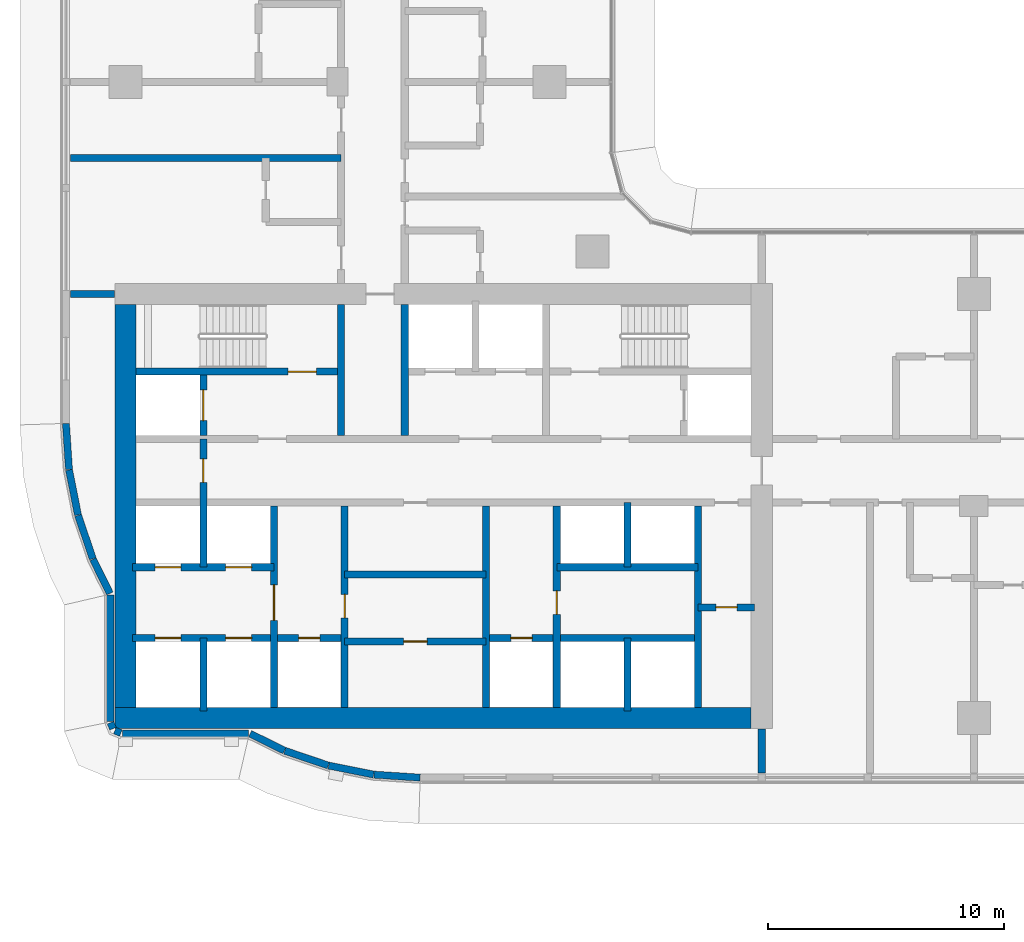
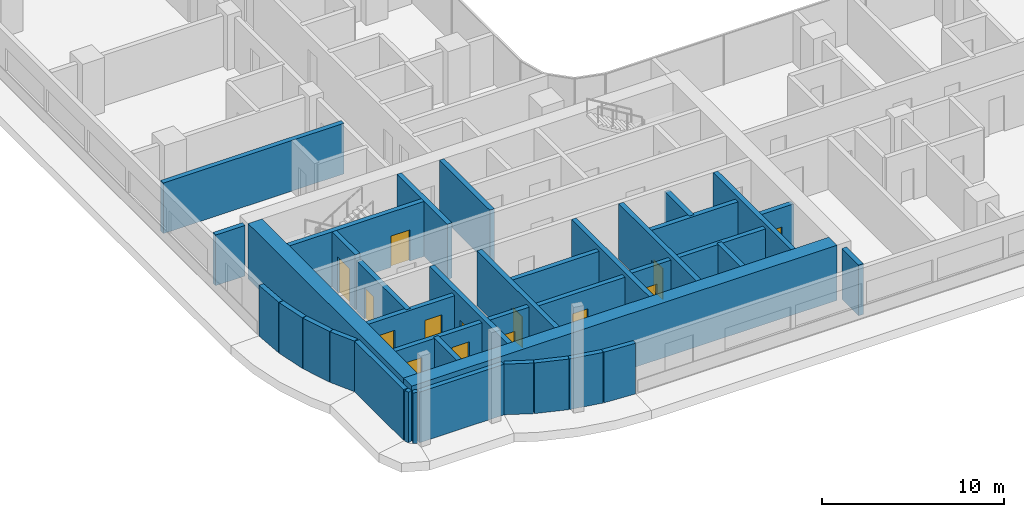
# One storey, part 17 of 36: 37 walls, 14 doors, 14 openings.
"""IFC4 building model written with IfcOpenShell, lengths in metres."""

from ifc_helpers import new_model, si_unit, direction, frame, frame_2d, origin, place, context, subcontext, project, spatial, rectangle, extrude, material, layer, layer_set, type_object, element, fill, save


model = new_model("IFC4")

# Units and contexts
model_context = context("Model", 3, precision=1e-05, world=origin(), true_north=direction((0.0, 1.0)))
body_context = subcontext(model_context, "Body", "Model", "MODEL_VIEW")
ifc_project = project(units=[si_unit("LENGTHUNIT", "METRE"), si_unit("AREAUNIT", "SQUARE_METRE"), si_unit("VOLUMEUNIT", "CUBIC_METRE"), si_unit("PLANEANGLEUNIT", "RADIAN"), si_unit("MASSUNIT", "GRAM", prefix="KILO")], contexts=[model_context])

# Site, building, storey
site_placement = place(None, origin())
site = spatial("IfcSite", under=ifc_project, at=site_placement, CompositionType="ELEMENT")
building_placement = place(site_placement, origin())
building = spatial("IfcBuilding", under=site, at=building_placement, Name="Ogive Portal Towers", CompositionType="ELEMENT")
storey_placement = place(building_placement, frame((0.0, 0.0, 63.10009765625)))
storey = spatial("IfcBuildingStorey", under=building, at=storey_placement, Name="L14", CompositionType="ELEMENT", Elevation=63.10009765625)

# Wall, opening, door
ifc_material_1 = material(Name="Concrete C60/75", Category="concrete")
ifc_layer_1 = layer(ifc_material_1, 0.300048828125)
ifc_layer_set_1 = layer_set([ifc_layer_1], Name="CORE WALL 300 C60")
wall_type_1 = type_object("IfcWallType", Name="CORE WALL 300 C60", PredefinedType="SHEAR", material=ifc_layer_set_1)
wall_1_placement = place(storey_placement, frame((37.800048828125, 21.949951171875, 0.0), z_axis=(0.0, 0.0, 1.0), x_axis=(0.0, 1.0, 0.0)))
wall_1 = element("IfcWall", 1, at=wall_1_placement, inside=storey, type_object=wall_type_1, Name="Core wall X1 L14", PredefinedType="SHEAR", context=body_context, shape_type="SweptSolid", body=[
    extrude(rectangle(XDim=8.550048828125, YDim=0.300048828125, at=frame_2d((4.27490234375, 0.0))), origin(), (0.0, 0.0, 1.0), 3.699951171875),
])
opening_1_placement = place(wall_1_placement, frame((3.699951171875, 0.0, 0.0)))
opening_1 = element("IfcOpeningElement", 2, at=opening_1_placement, cuts=wall_1, Name="Opening D04-001", PredefinedType="OPENING", context=body_context, shape_type="SweptSolid", body=[
    extrude(rectangle(XDim=1.5, YDim=2.10009765625, at=frame_2d((0.75, 1.050048828125))), frame((0.0, 0.16015625, 0.0), z_axis=(0.0, -1.0, 0.0), x_axis=(1.0, 0.0, 0.0)), (0.0, 0.0, 1.0), 0.320068359375),
])
ifc_material_2 = material(Name="Steel fire door", Category="steel")
door_type_1 = type_object("IfcDoorType", Name="DT-SWING-1500x2100-FD90S", OperationType="SINGLE_SWING_LEFT", PredefinedType="DOOR", material=ifc_material_2)
door_1_placement = place(opening_1_placement, origin())
door_1 = element("IfcDoor", 3, at=door_1_placement, inside=storey, type_object=door_type_1, Name="Door D04-001", OperationType="SINGLE_SWING_LEFT", OverallHeight=2.10009765625, OverallWidth=1.5, PredefinedType="DOOR", context=body_context, shape_type="SweptSolid", body=[
    extrude(rectangle(XDim=1.5, YDim=2.10009765625, at=frame_2d((0.75, 1.050048828125))), frame((0.0, 0.02490234375, 0.0), z_axis=(0.0, -1.0, 0.0), x_axis=(1.0, 0.0, 0.0)), (0.0, 0.0, 1.0), 0.050048828125),
])
fill(opening_1, door_1)

wall_2_placement = place(storey_placement, frame((40.800048828125, 21.949951171875, 0.0), z_axis=(0.0, 0.0, 1.0), x_axis=(0.0, 1.0, 0.0)))
wall_2 = element("IfcWall", 4, at=wall_2_placement, inside=storey, type_object=wall_type_1, Name="Core wall X2 L14", PredefinedType="SHEAR", context=body_context, shape_type="SweptSolid", body=[
    extrude(rectangle(XDim=8.550048828125, YDim=0.300048828125, at=frame_2d((4.27490234375, 0.0))), origin(), (0.0, 0.0, 1.0), 3.699951171875),
])
opening_2_placement = place(wall_2_placement, frame((3.800048828125, 0.0, 0.0)))
opening_2 = element("IfcOpeningElement", 5, at=opening_2_placement, cuts=wall_2, Name="Opening D04-022", PredefinedType="OPENING", context=body_context, shape_type="SweptSolid", body=[
    extrude(rectangle(XDim=1.0, YDim=2.10009765625, at=frame_2d((0.5, 1.050048828125))), frame((0.0, 0.16015625, 0.0), z_axis=(0.0, -1.0, 0.0), x_axis=(1.0, 0.0, 0.0)), (0.0, 0.0, 1.0), 0.320068359375),
])
door_type_2 = type_object("IfcDoorType", Name="DT-SWING-1000x2100-FD90S", OperationType="SINGLE_SWING_LEFT", PredefinedType="DOOR", material=ifc_material_2)
door_2_placement = place(opening_2_placement, origin())
door_2 = element("IfcDoor", 6, at=door_2_placement, inside=storey, type_object=door_type_2, Name="Door D04-022", OperationType="SINGLE_SWING_RIGHT", OverallHeight=2.10009765625, OverallWidth=1.0, PredefinedType="DOOR", context=body_context, shape_type="SweptSolid", body=[
    extrude(rectangle(XDim=1.0, YDim=2.10009765625, at=frame_2d((0.5, 1.050048828125))), frame((0.0, 0.02490234375, 0.0), z_axis=(0.0, -1.0, 0.0), x_axis=(1.0, 0.0, 0.0)), (0.0, 0.0, 1.0), 0.050048828125),
])
fill(opening_2, door_2)

# Wall
wall_3_placement = place(storey_placement, frame((46.800048828125, 21.949951171875, 0.0), z_axis=(0.0, 0.0, 1.0), x_axis=(0.0, 1.0, 0.0)))
element("IfcWall", 7, at=wall_3_placement, inside=storey, type_object=wall_type_1, Name="Core wall X3 L14", PredefinedType="SHEAR", context=body_context, shape_type="SweptSolid", body=[
    extrude(rectangle(XDim=8.550048828125, YDim=0.300048828125, at=frame_2d((4.27490234375, 0.0))), origin(), (0.0, 0.0, 1.0), 3.699951171875),
])

# Wall, opening, door
wall_4_placement = place(storey_placement, frame((49.800048828125, 21.949951171875, 0.0), z_axis=(0.0, 0.0, 1.0), x_axis=(0.0, 1.0, 0.0)))
wall_4 = element("IfcWall", 8, at=wall_4_placement, inside=storey, type_object=wall_type_1, Name="Core wall X4 L14", PredefinedType="SHEAR", context=body_context, shape_type="SweptSolid", body=[
    extrude(rectangle(XDim=8.550048828125, YDim=0.300048828125, at=frame_2d((4.27490234375, 0.0))), origin(), (0.0, 0.0, 1.0), 3.699951171875),
])
opening_3_placement = place(wall_4_placement, frame((3.949951171875, 0.0, 0.0)))
opening_3 = element("IfcOpeningElement", 9, at=opening_3_placement, cuts=wall_4, Name="Opening D04-024", PredefinedType="OPENING", context=body_context, shape_type="SweptSolid", body=[
    extrude(rectangle(XDim=1.0, YDim=2.10009765625, at=frame_2d((0.5, 1.050048828125))), frame((0.0, 0.16015625, 0.0), z_axis=(0.0, -1.0, 0.0), x_axis=(1.0, 0.0, 0.0)), (0.0, 0.0, 1.0), 0.320068359375),
])
door_3_placement = place(opening_3_placement, origin())
door_3 = element("IfcDoor", 10, at=door_3_placement, inside=storey, type_object=door_type_2, Name="Door D04-024", OperationType="SINGLE_SWING_RIGHT", OverallHeight=2.10009765625, OverallWidth=1.0, PredefinedType="DOOR", context=body_context, shape_type="SweptSolid", body=[
    extrude(rectangle(XDim=1.0, YDim=2.10009765625, at=frame_2d((0.5, 1.050048828125))), frame((0.0, 0.02490234375, 0.0), z_axis=(0.0, -1.0, 0.0), x_axis=(1.0, 0.0, 0.0)), (0.0, 0.0, 1.0), 0.050048828125),
])
fill(opening_3, door_3)

# Wall
wall_5_placement = place(storey_placement, frame((55.800048828125, 21.949951171875, 0.0), z_axis=(0.0, 0.0, 1.0), x_axis=(0.0, 1.0, 0.0)))
element("IfcWall", 11, at=wall_5_placement, inside=storey, type_object=wall_type_1, Name="Core wall X5 L14", PredefinedType="SHEAR", context=body_context, shape_type="SweptSolid", body=[
    extrude(rectangle(XDim=8.550048828125, YDim=0.300048828125, at=frame_2d((4.27490234375, 0.0))), origin(), (0.0, 0.0, 1.0), 3.699951171875),
])

# Wall, opening, door
wall_6_placement = place(storey_placement, frame((31.949951171875, 36.199951171875, 0.0), z_axis=(0.0, 0.0, 1.0), x_axis=(1.0, 0.0, 0.0)))
wall_6 = element("IfcWall", 12, at=wall_6_placement, inside=storey, type_object=wall_type_1, Name="Core wall Y3a L14", PredefinedType="SHEAR", context=body_context, shape_type="SweptSolid", body=[
    extrude(rectangle(XDim=8.550048828125, YDim=0.300048828125, at=frame_2d((4.27490234375, 0.0))), origin(), (0.0, 0.0, 1.0), 3.699951171875),
])
opening_4_placement = place(wall_6_placement, frame((6.449951171875, 0.0, 0.0)))
opening_4 = element("IfcOpeningElement", 13, at=opening_4_placement, cuts=wall_6, Name="Opening D04-005", PredefinedType="OPENING", context=body_context, shape_type="SweptSolid", body=[
    extrude(rectangle(XDim=1.199951171875, YDim=2.10009765625, at=frame_2d((0.60009765625, 1.050048828125))), frame((0.0, 0.16015625, 0.0), z_axis=(0.0, -1.0, 0.0), x_axis=(1.0, 0.0, 0.0)), (0.0, 0.0, 1.0), 0.320068359375),
])
door_type_3 = type_object("IfcDoorType", Name="DT-SWING-1200x2100-FD90S", OperationType="SINGLE_SWING_LEFT", PredefinedType="DOOR", material=ifc_material_2)
door_4_placement = place(opening_4_placement, origin())
door_4 = element("IfcDoor", 14, at=door_4_placement, inside=storey, type_object=door_type_3, Name="Door D04-005", OperationType="SINGLE_SWING_RIGHT", OverallHeight=2.10009765625, OverallWidth=1.199951171875, PredefinedType="DOOR", context=body_context, shape_type="SweptSolid", body=[
    extrude(rectangle(XDim=1.199951171875, YDim=2.10009765625, at=frame_2d((0.60009765625, 1.050048828125))), frame((0.0, 0.02490234375, 0.0), z_axis=(0.0, -1.0, 0.0), x_axis=(1.0, 0.0, 0.0)), (0.0, 0.0, 1.0), 0.050048828125),
])
fill(opening_4, door_4)

# Walls
for number, where, z_axis, x_axis, name in (
    (15, (40.64990234375, 33.5, 0.0), (0.0, 0.0, 1.0), (0.0, 1.0, 0.0), "Core wall X6 L14"),
    (16, (43.35009765625, 33.5, 0.0), (0.0, 0.0, 1.0), (0.0, 1.0, 0.0), "Core wall X7 L14"),
):
    element("IfcWall", number, at=place(storey_placement, frame(where, z_axis=z_axis, x_axis=x_axis)), inside=storey, type_object=wall_type_1, Name=name, PredefinedType="SHEAR", context=body_context, shape_type="SweptSolid", body=[
        extrude(rectangle(XDim=5.550048828125, YDim=0.300048828125, at=frame_2d((2.77490234375, 0.0))), origin(), (0.0, 0.0, 1.0), 3.699951171875),
    ])

# Wall, opening, door
wall_7_placement = place(storey_placement, frame((34.800048828125, 33.5, 0.0), z_axis=(0.0, 0.0, 1.0), x_axis=(0.0, 1.0, 0.0)))
wall_7 = element("IfcWall", 17, at=wall_7_placement, inside=storey, type_object=wall_type_1, Name="Core wall X8 L14", PredefinedType="SHEAR", context=body_context, shape_type="SweptSolid", body=[
    extrude(rectangle(XDim=2.550048828125, YDim=0.300048828125, at=frame_2d((1.27490234375, 0.0))), origin(), (0.0, 0.0, 1.0), 3.699951171875),
])
opening_5_placement = place(wall_7_placement, frame((0.625, 0.0, 0.0)))
opening_5 = element("IfcOpeningElement", 18, at=opening_5_placement, cuts=wall_7, Name="Opening D04-019", PredefinedType="OPENING", context=body_context, shape_type="SweptSolid", body=[
    extrude(rectangle(XDim=1.300048828125, YDim=2.39990234375, at=frame_2d((0.64990234375, 1.199951171875))), frame((0.0, 0.16015625, 0.0), z_axis=(0.0, -1.0, 0.0), x_axis=(1.0, 0.0, 0.0)), (0.0, 0.0, 1.0), 0.320068359375),
])
ifc_material_3 = material(Name="Stainless steel", Category="steel")
door_type_4 = type_object("IfcDoorType", Name="DT-LD-1300x2400", OperationType="SLIDING_TO_LEFT", PredefinedType="DOOR", material=ifc_material_3)
door_5_placement = place(opening_5_placement, origin())
door_5 = element("IfcDoor", 19, at=door_5_placement, inside=storey, type_object=door_type_4, Name="Door D04-019", OperationType="SLIDING_TO_LEFT", OverallHeight=2.39990234375, OverallWidth=1.300048828125, PredefinedType="DOOR", context=body_context, shape_type="SweptSolid", body=[
    extrude(rectangle(XDim=1.300048828125, YDim=2.39990234375, at=frame_2d((0.64990234375, 1.199951171875))), frame((0.0, 0.02490234375, 0.0), z_axis=(0.0, -1.0, 0.0), x_axis=(1.0, 0.0, 0.0)), (0.0, 0.0, 1.0), 0.050048828125),
])
fill(opening_5, door_5)

# Walls
ifc_layer_2 = layer(ifc_material_1, 0.89990234375)
ifc_layer_set_2 = layer_set([ifc_layer_2], Name="CORE WALL 900 C60")
wall_type_2 = type_object("IfcWallType", Name="CORE WALL 900 C60", PredefinedType="SHEAR", material=ifc_layer_set_2)
wall_8_placement = place(storey_placement, frame((31.5, 21.949951171875, 0.0), z_axis=(0.0, 0.0, 1.0), x_axis=(0.0, 1.0, 0.0)))
element("IfcWall", 20, at=wall_8_placement, inside=storey, type_object=wall_type_2, Name="Core wall W L14", PredefinedType="SHEAR", context=body_context, shape_type="SweptSolid", body=[
    extrude(rectangle(XDim=17.10009765625, YDim=0.89990234375, at=frame_2d((8.550048828125, 0.0))), origin(), (0.0, 0.0, 1.0), 3.699951171875),
])
wall_9_placement = place(storey_placement, frame((31.050048828125, 21.5, 0.0), z_axis=(0.0, 0.0, 1.0), x_axis=(1.0, 0.0, 0.0)))
element("IfcWall", 21, at=wall_9_placement, inside=storey, type_object=wall_type_2, Name="Core wall S L14", PredefinedType="SHEAR", context=body_context, shape_type="SweptSolid", body=[
    extrude(rectangle(XDim=27.0, YDim=0.89990234375, at=frame_2d((13.5, 0.0))), origin(), (0.0, 0.0, 1.0), 3.699951171875),
])
ifc_material_4 = material(Name="Limestone cladding on lightweight block wall", Category="masonry")
ifc_layer_3 = layer(ifc_material_4, 0.300048828125)
ifc_layer_set_3 = layer_set([ifc_layer_3], Name="EXTERNAL WALL 300 STONE")
wall_type_3 = type_object("IfcWallType", Name="EXTERNAL WALL 300 STONE", PredefinedType="SOLIDWALL", material=ifc_layer_set_3)
wall_10_placement = place(storey_placement, frame((30.85009765625, 26.7216796875, 0.0), z_axis=(0.0, 0.0, 1.0), x_axis=(0.0, -1.0, 0.0)))
element("IfcWall", 22, at=wall_10_placement, inside=storey, type_object=wall_type_3, Name="A:L14:f00:r0:wall", PredefinedType="SOLIDWALL", context=body_context, shape_type="SweptSolid", body=[
    extrude(rectangle(XDim=5.362060546875, YDim=0.300048828125, at=frame_2d((2.68115234375, 0.0))), origin(), (0.0, 0.0, 1.0), 3.39990234375),
])
for number, where, z_axis, x_axis, name in (
    (23, (30.861328125, 21.30224609375, 0.0), (0.0, 0.0, 1.0), (0.38297812142, -0.923757413239, 0.0), "A:L14:f01:r0:wall"),
    (24, (31.0478515625, 20.966796875, 0.0), (0.0, 0.0, 1.0), (0.923757413239, -0.38297812142, 0.0), "A:L14:f02:r0:wall"),
):
    element("IfcWall", number, at=place(storey_placement, frame(where, z_axis=z_axis, x_axis=x_axis)), inside=storey, type_object=wall_type_3, Name=name, PredefinedType="SOLIDWALL", context=body_context, shape_type="SweptSolid", body=[
        extrude(rectangle(XDim=0.275390625, YDim=0.300048828125, at=frame_2d((0.1376953125, 0.0))), origin(), (0.0, 0.0, 1.0), 3.39990234375),
    ])
wall_11_placement = place(storey_placement, frame((31.359619140625, 20.85009765625, 0.0), z_axis=(0.0, 0.0, 1.0), x_axis=(1.0, 0.0, 0.0)))
element("IfcWall", 25, at=wall_11_placement, inside=storey, type_object=wall_type_3, Name="A:L14:f03:r0:wall", PredefinedType="SOLIDWALL", context=body_context, shape_type="SweptSolid", body=[
    extrude(rectangle(XDim=5.362060546875, YDim=0.300048828125, at=frame_2d((2.68115234375, 0.0))), origin(), (0.0, 0.0, 1.0), 3.39990234375),
])
wall_12_placement = place(storey_placement, frame((36.7880859375, 20.83447265625, 0.0), z_axis=(0.0, 0.0, 1.0), x_axis=(0.896857753975, -0.442319080682, 0.0)))
element("IfcWall", 26, at=wall_12_placement, inside=storey, type_object=wall_type_3, Name="A:L14:f04:r0:wall", PredefinedType="SOLIDWALL", context=body_context, shape_type="SweptSolid", body=[
    extrude(rectangle(XDim=1.618408203125, YDim=0.300048828125, at=frame_2d((0.80908203125, 0.0))), origin(), (0.0, 0.0, 1.0), 3.39990234375),
])
for number, where, z_axis, x_axis, name in (
    (27, (38.2578125, 20.111328125, 0.0), (0.0, 0.0, 1.0), (0.946912572858, -0.32149118085, 0.0), "A:L14:f05:r0:wall"),
    (28, (40.11962890625, 19.48046875, 0.0), (0.0, 0.0, 1.0), (0.980792379364, -0.195054629737, 0.0), "A:L14:f06:r0:wall"),
):
    element("IfcWall", number, at=place(storey_placement, frame(where, z_axis=z_axis, x_axis=x_axis)), inside=storey, type_object=wall_type_3, Name=name, PredefinedType="SOLIDWALL", context=body_context, shape_type="SweptSolid", body=[
        extrude(rectangle(XDim=1.9462890625, YDim=0.300048828125, at=frame_2d((0.97314453125, 0.0))), origin(), (0.0, 0.0, 1.0), 3.39990234375),
    ])
for number, where, z_axis, x_axis, name in (
    (29, (42.048095703125, 19.09814453125, 0.0), (0.0, 0.0, 1.0), (0.997859086025, -0.065400645538, 0.0), "A:L14:f07:r0:wall"),
    (30, (28.97021484375, 34.0, 0.0), (0.0, 0.0, 1.0), (0.065400645538, -0.997859086025, 0.0), "A:L14:f28:r0:wall"),
):
    element("IfcWall", number, at=place(storey_placement, frame(where, z_axis=z_axis, x_axis=x_axis)), inside=storey, type_object=wall_type_3, Name=name, PredefinedType="SOLIDWALL", context=body_context, shape_type="SweptSolid", body=[
        extrude(rectangle(XDim=1.9560546875, YDim=0.300048828125, at=frame_2d((0.97802734375, 0.0))), origin(), (0.0, 0.0, 1.0), 3.39990234375),
    ])
for number, where, z_axis, x_axis, name in (
    (31, (29.100830078125, 32.028564453125, 0.0), (0.0, 0.0, 1.0), (0.195054629737, -0.980792379364, 0.0), "A:L14:f29:r0:wall"),
    (32, (29.485595703125, 30.100830078125, 0.0), (0.0, 0.0, 1.0), (0.32149118085, -0.946912572858, 0.0), "A:L14:f30:r0:wall"),
):
    element("IfcWall", number, at=place(storey_placement, frame(where, z_axis=z_axis, x_axis=x_axis)), inside=storey, type_object=wall_type_3, Name=name, PredefinedType="SOLIDWALL", context=body_context, shape_type="SweptSolid", body=[
        extrude(rectangle(XDim=1.9462890625, YDim=0.300048828125, at=frame_2d((0.97314453125, 0.0))), origin(), (0.0, 0.0, 1.0), 3.39990234375),
    ])
wall_13_placement = place(storey_placement, frame((30.11865234375, 28.239501953125, 0.0), z_axis=(0.0, 0.0, 1.0), x_axis=(0.442319080682, -0.896857753975, 0.0)))
element("IfcWall", 33, at=wall_13_placement, inside=storey, type_object=wall_type_3, Name="A:L14:f31:r0:wall", PredefinedType="SOLIDWALL", context=body_context, shape_type="SweptSolid", body=[
    extrude(rectangle(XDim=1.618408203125, YDim=0.300048828125, at=frame_2d((0.80908203125, 0.0))), origin(), (0.0, 0.0, 1.0), 3.39990234375),
])

# Wall, opening, door
ifc_material_5 = material(Name="Gypsum board partition on steel studs", Category="steel")
ifc_layer_4 = layer(ifc_material_5, 0.300048828125)
ifc_layer_set_4 = layer_set([ifc_layer_4], Name="WT-PART-300")
wall_type_4 = type_object("IfcWallType", Name="WT-PART-300", PredefinedType="PARTITIONING", material=ifc_layer_set_4)
wall_14_placement = place(storey_placement, frame((40.800048828125, 24.75, 0.0), z_axis=(0.0, 0.0, 1.0), x_axis=(1.0, 0.0, 0.0)))
wall_14 = element("IfcWall", 34, at=wall_14_placement, inside=storey, type_object=wall_type_4, Name="Wall pw:001:L14", PredefinedType="PARTITIONING", context=body_context, shape_type="SweptSolid", body=[
    extrude(rectangle(XDim=6.0, YDim=0.300048828125, at=frame_2d((3.0, 0.0))), origin(), (0.0, 0.0, 1.0), 3.39990234375),
])
opening_6_placement = place(wall_14_placement, frame((2.5, 0.0, 0.0)))
opening_6 = element("IfcOpeningElement", 35, at=opening_6_placement, cuts=wall_14, Name="Opening D04-023", PredefinedType="OPENING", context=body_context, shape_type="SweptSolid", body=[
    extrude(rectangle(XDim=1.0, YDim=2.10009765625, at=frame_2d((0.5, 1.050048828125))), frame((0.0, 0.16015625, 0.0), z_axis=(0.0, -1.0, 0.0), x_axis=(1.0, 0.0, 0.0)), (0.0, 0.0, 1.0), 0.320068359375),
])
door_type_5 = type_object("IfcDoorType", Name="DT-SWING-1000x2100-FD60S", OperationType="SINGLE_SWING_LEFT", PredefinedType="DOOR", material=ifc_material_2)
door_6_placement = place(opening_6_placement, origin())
door_6 = element("IfcDoor", 36, at=door_6_placement, inside=storey, type_object=door_type_5, Name="Door D04-023", OperationType="SINGLE_SWING_RIGHT", OverallHeight=2.10009765625, OverallWidth=1.0, PredefinedType="DOOR", context=body_context, shape_type="SweptSolid", body=[
    extrude(rectangle(XDim=1.0, YDim=2.10009765625, at=frame_2d((0.5, 1.050048828125))), frame((0.0, 0.02490234375, 0.0), z_axis=(0.0, -1.0, 0.0), x_axis=(1.0, 0.0, 0.0)), (0.0, 0.0, 1.0), 0.050048828125),
])
fill(opening_6, door_6)

wall_15_placement = place(storey_placement, frame((55.800048828125, 26.199951171875, 0.0), z_axis=(0.0, 0.0, 1.0), x_axis=(1.0, 0.0, 0.0)))
wall_15 = element("IfcWall", 37, at=wall_15_placement, inside=storey, type_object=wall_type_4, Name="Wall pw:004:L14", PredefinedType="PARTITIONING", context=body_context, shape_type="SweptSolid", body=[
    extrude(rectangle(XDim=2.39990234375, YDim=0.300048828125, at=frame_2d((1.199951171875, 0.0))), origin(), (0.0, 0.0, 1.0), 3.39990234375),
])
opening_7_placement = place(wall_15_placement, frame((0.75, 0.0, 0.0)))
opening_7 = element("IfcOpeningElement", 38, at=opening_7_placement, cuts=wall_15, Name="Opening D04-010", PredefinedType="OPENING", context=body_context, shape_type="SweptSolid", body=[
    extrude(rectangle(XDim=0.89990234375, YDim=2.10009765625, at=frame_2d((0.449951171875, 1.050048828125))), frame((0.0, 0.16015625, 0.0), z_axis=(0.0, -1.0, 0.0), x_axis=(1.0, 0.0, 0.0)), (0.0, 0.0, 1.0), 0.320068359375),
])
door_type_6 = type_object("IfcDoorType", Name="DT-SWING-900x2100-FD60S", OperationType="SINGLE_SWING_LEFT", PredefinedType="DOOR", material=ifc_material_2)
door_7_placement = place(opening_7_placement, origin())
door_7 = element("IfcDoor", 39, at=door_7_placement, inside=storey, type_object=door_type_6, Name="Door D04-010", OperationType="SINGLE_SWING_RIGHT", OverallHeight=2.10009765625, OverallWidth=0.89990234375, PredefinedType="DOOR", context=body_context, shape_type="SweptSolid", body=[
    extrude(rectangle(XDim=0.89990234375, YDim=2.10009765625, at=frame_2d((0.449951171875, 1.050048828125))), frame((0.0, 0.02490234375, 0.0), z_axis=(0.0, -1.0, 0.0), x_axis=(1.0, 0.0, 0.0)), (0.0, 0.0, 1.0), 0.050048828125),
])
fill(opening_7, door_7)

# Walls
wall_16_placement = place(storey_placement, frame((40.800048828125, 27.60009765625, 0.0), z_axis=(0.0, 0.0, 1.0), x_axis=(1.0, 0.0, 0.0)))
element("IfcWall", 40, at=wall_16_placement, inside=storey, type_object=wall_type_4, Name="Wall pw:005:L14", PredefinedType="PARTITIONING", context=body_context, shape_type="SweptSolid", body=[
    extrude(rectangle(XDim=6.0, YDim=0.300048828125, at=frame_2d((3.0, 0.0))), origin(), (0.0, 0.0, 1.0), 3.39990234375),
])
ifc_layer_5 = layer(ifc_material_5, 0.300048828125)
ifc_layer_set_5 = layer_set([ifc_layer_5], Name="WT-PART-300-EI 60")
wall_type_5 = type_object("IfcWallType", Name="WT-PART-300-EI 60", PredefinedType="PARTITIONING", material=ifc_layer_set_5)
wall_17_placement = place(storey_placement, frame((29.169921875, 39.5, 0.0), z_axis=(0.0, 0.0, 1.0), x_axis=(1.0, 0.0, 0.0)))
element("IfcWall", 41, at=wall_17_placement, inside=storey, type_object=wall_type_5, Name="Wall L14:w012", PredefinedType="PARTITIONING", context=body_context, shape_type="SweptSolid", body=[
    extrude(rectangle(XDim=1.860107421875, YDim=0.300048828125, at=frame_2d((0.93017578125, 0.0))), origin(), (0.0, 0.0, 1.0), 3.39990234375),
])
wall_18_placement = place(storey_placement, frame((29.169921875, 45.260009765625, 0.0), z_axis=(0.0, 0.0, 1.0), x_axis=(1.0, 0.0, 0.0)))
element("IfcWall", 42, at=wall_18_placement, inside=storey, type_object=wall_type_5, Name="Wall L14:w017", PredefinedType="PARTITIONING", context=body_context, shape_type="SweptSolid", body=[
    extrude(rectangle(XDim=11.47998046875, YDim=0.300048828125, at=frame_2d((5.739990234375, 0.0))), origin(), (0.0, 0.0, 1.0), 3.39990234375),
])
wall_19_placement = place(storey_placement, frame((58.5, 19.169921875, 0.0), z_axis=(0.0, 0.0, 1.0), x_axis=(0.0, 1.0, 0.0)))
element("IfcWall", 43, at=wall_19_placement, inside=storey, type_object=wall_type_5, Name="Wall L14:w046", PredefinedType="PARTITIONING", context=body_context, shape_type="SweptSolid", body=[
    extrude(rectangle(XDim=1.860107421875, YDim=0.300048828125, at=frame_2d((0.93017578125, 0.0))), origin(), (0.0, 0.0, 1.0), 3.39990234375),
])

# Wall, openings, doors
ifc_material_6 = material(Name="Concrete C40/50", Category="concrete")
ifc_layer_6 = layer(ifc_material_6, 0.300048828125)
ifc_layer_set_6 = layer_set([ifc_layer_6], Name="WT-SHAFT-300")
wall_type_6 = type_object("IfcWallType", Name="WT-SHAFT-300", PredefinedType="SOLIDWALL", material=ifc_layer_set_6)
wall_20_placement = place(storey_placement, frame((31.800048828125, 24.89990234375, 0.0), z_axis=(0.0, 0.0, 1.0), x_axis=(1.0, 0.0, 0.0)))
wall_20 = element("IfcWall", 44, at=wall_20_placement, inside=storey, type_object=wall_type_6, Name="Wall pw:002:L14", PredefinedType="SOLIDWALL", context=body_context, shape_type="SweptSolid", body=[
    extrude(rectangle(XDim=9.0, YDim=0.300048828125, at=frame_2d((4.5, 0.0))), origin(), (0.0, 0.0, 1.0), 3.39990234375),
])
opening_8_placement = place(wall_20_placement, frame((7.050048828125, 0.0, 0.0)))
opening_8 = element("IfcOpeningElement", 45, at=opening_8_placement, cuts=wall_20, Name="Opening D04-007", PredefinedType="OPENING", context=body_context, shape_type="SweptSolid", body=[
    extrude(rectangle(XDim=0.89990234375, YDim=2.10009765625, at=frame_2d((0.449951171875, 1.050048828125))), frame((0.0, 0.16015625, 0.0), z_axis=(0.0, -1.0, 0.0), x_axis=(1.0, 0.0, 0.0)), (0.0, 0.0, 1.0), 0.320068359375),
])
opening_9_placement = place(wall_20_placement, frame((0.949951171875, 0.0, 0.0)))
opening_9 = element("IfcOpeningElement", 46, at=opening_9_placement, cuts=wall_20, Name="Opening D04-013", PredefinedType="OPENING", context=body_context, shape_type="SweptSolid", body=[
    extrude(rectangle(XDim=1.10009765625, YDim=2.39990234375, at=frame_2d((0.550048828125, 1.199951171875))), frame((0.0, 0.16015625, 0.0), z_axis=(0.0, -1.0, 0.0), x_axis=(1.0, 0.0, 0.0)), (0.0, 0.0, 1.0), 0.320068359375),
])
opening_10_placement = place(wall_20_placement, frame((3.949951171875, 0.0, 0.0)))
opening_10 = element("IfcOpeningElement", 47, at=opening_10_placement, cuts=wall_20, Name="Opening D04-014", PredefinedType="OPENING", context=body_context, shape_type="SweptSolid", body=[
    extrude(rectangle(XDim=1.10009765625, YDim=2.39990234375, at=frame_2d((0.550048828125, 1.199951171875))), frame((0.0, 0.16015625, 0.0), z_axis=(0.0, -1.0, 0.0), x_axis=(1.0, 0.0, 0.0)), (0.0, 0.0, 1.0), 0.320068359375),
])
door_type_7 = type_object("IfcDoorType", Name="DT-LD-1100x2400", OperationType="SLIDING_TO_LEFT", PredefinedType="DOOR", material=ifc_material_3)
door_8_placement = place(opening_9_placement, origin())
door_8 = element("IfcDoor", 48, at=door_8_placement, inside=storey, type_object=door_type_7, Name="Door D04-013", OperationType="SLIDING_TO_LEFT", OverallHeight=2.39990234375, OverallWidth=1.10009765625, PredefinedType="DOOR", context=body_context, shape_type="SweptSolid", body=[
    extrude(rectangle(XDim=1.10009765625, YDim=2.39990234375, at=frame_2d((0.550048828125, 1.199951171875))), frame((0.0, 0.02490234375, 0.0), z_axis=(0.0, -1.0, 0.0), x_axis=(1.0, 0.0, 0.0)), (0.0, 0.0, 1.0), 0.050048828125),
])
fill(opening_9, door_8)
door_9_placement = place(opening_10_placement, origin())
door_9 = element("IfcDoor", 49, at=door_9_placement, inside=storey, type_object=door_type_7, Name="Door D04-014", OperationType="SLIDING_TO_LEFT", OverallHeight=2.39990234375, OverallWidth=1.10009765625, PredefinedType="DOOR", context=body_context, shape_type="SweptSolid", body=[
    extrude(rectangle(XDim=1.10009765625, YDim=2.39990234375, at=frame_2d((0.550048828125, 1.199951171875))), frame((0.0, 0.02490234375, 0.0), z_axis=(0.0, -1.0, 0.0), x_axis=(1.0, 0.0, 0.0)), (0.0, 0.0, 1.0), 0.050048828125),
])
fill(opening_10, door_9)
door_type_8 = type_object("IfcDoorType", Name="DT-SWING-900x2100-FD90S", OperationType="SINGLE_SWING_LEFT", PredefinedType="DOOR", material=ifc_material_2)
door_10_placement = place(opening_8_placement, origin())
door_10 = element("IfcDoor", 50, at=door_10_placement, inside=storey, type_object=door_type_8, Name="Riser access door D04-007", OperationType="SINGLE_SWING_LEFT", OverallHeight=2.10009765625, OverallWidth=0.89990234375, PredefinedType="DOOR", context=body_context, shape_type="SweptSolid", body=[
    extrude(rectangle(XDim=0.89990234375, YDim=2.10009765625, at=frame_2d((0.449951171875, 1.050048828125))), frame((0.0, 0.02490234375, 0.0), z_axis=(0.0, -1.0, 0.0), x_axis=(1.0, 0.0, 0.0)), (0.0, 0.0, 1.0), 0.050048828125),
])
fill(opening_8, door_10)

# Wall, opening, door
wall_21_placement = place(storey_placement, frame((46.800048828125, 24.89990234375, 0.0), z_axis=(0.0, 0.0, 1.0), x_axis=(1.0, 0.0, 0.0)))
wall_21 = element("IfcWall", 51, at=wall_21_placement, inside=storey, type_object=wall_type_6, Name="Wall pw:003:L14", PredefinedType="SOLIDWALL", context=body_context, shape_type="SweptSolid", body=[
    extrude(rectangle(XDim=9.0, YDim=0.300048828125, at=frame_2d((4.5, 0.0))), origin(), (0.0, 0.0, 1.0), 3.39990234375),
])
opening_11_placement = place(wall_21_placement, frame((1.050048828125, 0.0, 0.0)))
opening_11 = element("IfcOpeningElement", 52, at=opening_11_placement, cuts=wall_21, Name="Opening D04-008", PredefinedType="OPENING", context=body_context, shape_type="SweptSolid", body=[
    extrude(rectangle(XDim=0.89990234375, YDim=2.10009765625, at=frame_2d((0.449951171875, 1.050048828125))), frame((0.0, 0.16015625, 0.0), z_axis=(0.0, -1.0, 0.0), x_axis=(1.0, 0.0, 0.0)), (0.0, 0.0, 1.0), 0.320068359375),
])
door_11_placement = place(opening_11_placement, origin())
door_11 = element("IfcDoor", 53, at=door_11_placement, inside=storey, type_object=door_type_8, Name="Riser access door D04-008", OperationType="SINGLE_SWING_RIGHT", OverallHeight=2.10009765625, OverallWidth=0.89990234375, PredefinedType="DOOR", context=body_context, shape_type="SweptSolid", body=[
    extrude(rectangle(XDim=0.89990234375, YDim=2.10009765625, at=frame_2d((0.449951171875, 1.050048828125))), frame((0.0, 0.02490234375, 0.0), z_axis=(0.0, -1.0, 0.0), x_axis=(1.0, 0.0, 0.0)), (0.0, 0.0, 1.0), 0.050048828125),
])
fill(opening_11, door_11)

# Wall, openings, doors
wall_22_placement = place(storey_placement, frame((31.800048828125, 27.89990234375, 0.0), z_axis=(0.0, 0.0, 1.0), x_axis=(1.0, 0.0, 0.0)))
wall_22 = element("IfcWall", 54, at=wall_22_placement, inside=storey, type_object=wall_type_6, Name="Wall pw:006:L14", PredefinedType="SOLIDWALL", context=body_context, shape_type="SweptSolid", body=[
    extrude(rectangle(XDim=6.0, YDim=0.300048828125, at=frame_2d((3.0, 0.0))), origin(), (0.0, 0.0, 1.0), 3.39990234375),
])
opening_12_placement = place(wall_22_placement, frame((0.949951171875, 0.0, 0.0)))
opening_12 = element("IfcOpeningElement", 55, at=opening_12_placement, cuts=wall_22, Name="Opening D04-015", PredefinedType="OPENING", context=body_context, shape_type="SweptSolid", body=[
    extrude(rectangle(XDim=1.10009765625, YDim=2.39990234375, at=frame_2d((0.550048828125, 1.199951171875))), frame((0.0, 0.16015625, 0.0), z_axis=(0.0, -1.0, 0.0), x_axis=(1.0, 0.0, 0.0)), (0.0, 0.0, 1.0), 0.320068359375),
])
opening_13_placement = place(wall_22_placement, frame((3.949951171875, 0.0, 0.0)))
opening_13 = element("IfcOpeningElement", 56, at=opening_13_placement, cuts=wall_22, Name="Opening D04-016", PredefinedType="OPENING", context=body_context, shape_type="SweptSolid", body=[
    extrude(rectangle(XDim=1.10009765625, YDim=2.39990234375, at=frame_2d((0.550048828125, 1.199951171875))), frame((0.0, 0.16015625, 0.0), z_axis=(0.0, -1.0, 0.0), x_axis=(1.0, 0.0, 0.0)), (0.0, 0.0, 1.0), 0.320068359375),
])
door_12_placement = place(opening_12_placement, origin())
door_12 = element("IfcDoor", 57, at=door_12_placement, inside=storey, type_object=door_type_7, Name="Door D04-015", OperationType="SLIDING_TO_LEFT", OverallHeight=2.39990234375, OverallWidth=1.10009765625, PredefinedType="DOOR", context=body_context, shape_type="SweptSolid", body=[
    extrude(rectangle(XDim=1.10009765625, YDim=2.39990234375, at=frame_2d((0.550048828125, 1.199951171875))), frame((0.0, 0.02490234375, 0.0), z_axis=(0.0, -1.0, 0.0), x_axis=(1.0, 0.0, 0.0)), (0.0, 0.0, 1.0), 0.050048828125),
])
fill(opening_12, door_12)
door_13_placement = place(opening_13_placement, origin())
door_13 = element("IfcDoor", 58, at=door_13_placement, inside=storey, type_object=door_type_7, Name="Door D04-016", OperationType="SLIDING_TO_LEFT", OverallHeight=2.39990234375, OverallWidth=1.10009765625, PredefinedType="DOOR", context=body_context, shape_type="SweptSolid", body=[
    extrude(rectangle(XDim=1.10009765625, YDim=2.39990234375, at=frame_2d((0.550048828125, 1.199951171875))), frame((0.0, 0.02490234375, 0.0), z_axis=(0.0, -1.0, 0.0), x_axis=(1.0, 0.0, 0.0)), (0.0, 0.0, 1.0), 0.050048828125),
])
fill(opening_13, door_13)

# Walls
wall_23_placement = place(storey_placement, frame((49.800048828125, 27.89990234375, 0.0), z_axis=(0.0, 0.0, 1.0), x_axis=(1.0, 0.0, 0.0)))
element("IfcWall", 59, at=wall_23_placement, inside=storey, type_object=wall_type_6, Name="Wall pw:007:L14", PredefinedType="SOLIDWALL", context=body_context, shape_type="SweptSolid", body=[
    extrude(rectangle(XDim=6.0, YDim=0.300048828125, at=frame_2d((3.0, 0.0))), origin(), (0.0, 0.0, 1.0), 3.39990234375),
])
wall_24_placement = place(storey_placement, frame((34.800048828125, 21.800048828125, 0.0), z_axis=(0.0, 0.0, 1.0), x_axis=(0.0, 1.0, 0.0)))
element("IfcWall", 60, at=wall_24_placement, inside=storey, type_object=wall_type_6, Name="Wall pw:008:L14", PredefinedType="SOLIDWALL", context=body_context, shape_type="SweptSolid", body=[
    extrude(rectangle(XDim=3.099853515625, YDim=0.300048828125, at=frame_2d((1.5498046875, 0.0))), origin(), (0.0, 0.0, 1.0), 3.39990234375),
])

# Wall, opening, door
wall_25_placement = place(storey_placement, frame((34.800048828125, 27.89990234375, 0.0), z_axis=(0.0, 0.0, 1.0), x_axis=(0.0, 1.0, 0.0)))
wall_25 = element("IfcWall", 61, at=wall_25_placement, inside=storey, type_object=wall_type_6, Name="Wall pw:009:L14", PredefinedType="SOLIDWALL", context=body_context, shape_type="SweptSolid", body=[
    extrude(rectangle(XDim=5.4501953125, YDim=0.300048828125, at=frame_2d((2.72509765625, 0.0))), origin(), (0.0, 0.0, 1.0), 3.39990234375),
])
opening_14_placement = place(wall_25_placement, frame((3.60009765625, 0.0, 0.0)))
opening_14 = element("IfcOpeningElement", 62, at=opening_14_placement, cuts=wall_25, Name="Opening D04-025", PredefinedType="OPENING", context=body_context, shape_type="SweptSolid", body=[
    extrude(rectangle(XDim=1.0, YDim=2.10009765625, at=frame_2d((0.5, 1.050048828125))), frame((0.0, 0.16015625, 0.0), z_axis=(0.0, -1.0, 0.0), x_axis=(1.0, 0.0, 0.0)), (0.0, 0.0, 1.0), 0.320068359375),
])
door_14_placement = place(opening_14_placement, origin())
door_14 = element("IfcDoor", 63, at=door_14_placement, inside=storey, type_object=door_type_2, Name="Door D04-025", OperationType="SINGLE_SWING_LEFT", OverallHeight=2.10009765625, OverallWidth=1.0, PredefinedType="DOOR", context=body_context, shape_type="SweptSolid", body=[
    extrude(rectangle(XDim=1.0, YDim=2.10009765625, at=frame_2d((0.5, 1.050048828125))), frame((0.0, 0.02490234375, 0.0), z_axis=(0.0, -1.0, 0.0), x_axis=(1.0, 0.0, 0.0)), (0.0, 0.0, 1.0), 0.050048828125),
])
fill(opening_14, door_14)

# Walls
wall_26_placement = place(storey_placement, frame((52.800048828125, 21.800048828125, 0.0), z_axis=(0.0, 0.0, 1.0), x_axis=(0.0, 1.0, 0.0)))
element("IfcWall", 64, at=wall_26_placement, inside=storey, type_object=wall_type_6, Name="Wall pw:011:L14", PredefinedType="SOLIDWALL", context=body_context, shape_type="SweptSolid", body=[
    extrude(rectangle(XDim=3.099853515625, YDim=0.300048828125, at=frame_2d((1.5498046875, 0.0))), origin(), (0.0, 0.0, 1.0), 3.39990234375),
])
wall_27_placement = place(storey_placement, frame((52.800048828125, 27.89990234375, 0.0), z_axis=(0.0, 0.0, 1.0), x_axis=(0.0, 1.0, 0.0)))
element("IfcWall", 65, at=wall_27_placement, inside=storey, type_object=wall_type_6, Name="Wall pw:012:L14", PredefinedType="SOLIDWALL", context=body_context, shape_type="SweptSolid", body=[
    extrude(rectangle(XDim=2.75, YDim=0.300048828125, at=frame_2d((1.375, 0.0))), origin(), (0.0, 0.0, 1.0), 3.39990234375),
])

save(model, "model.ifc")
